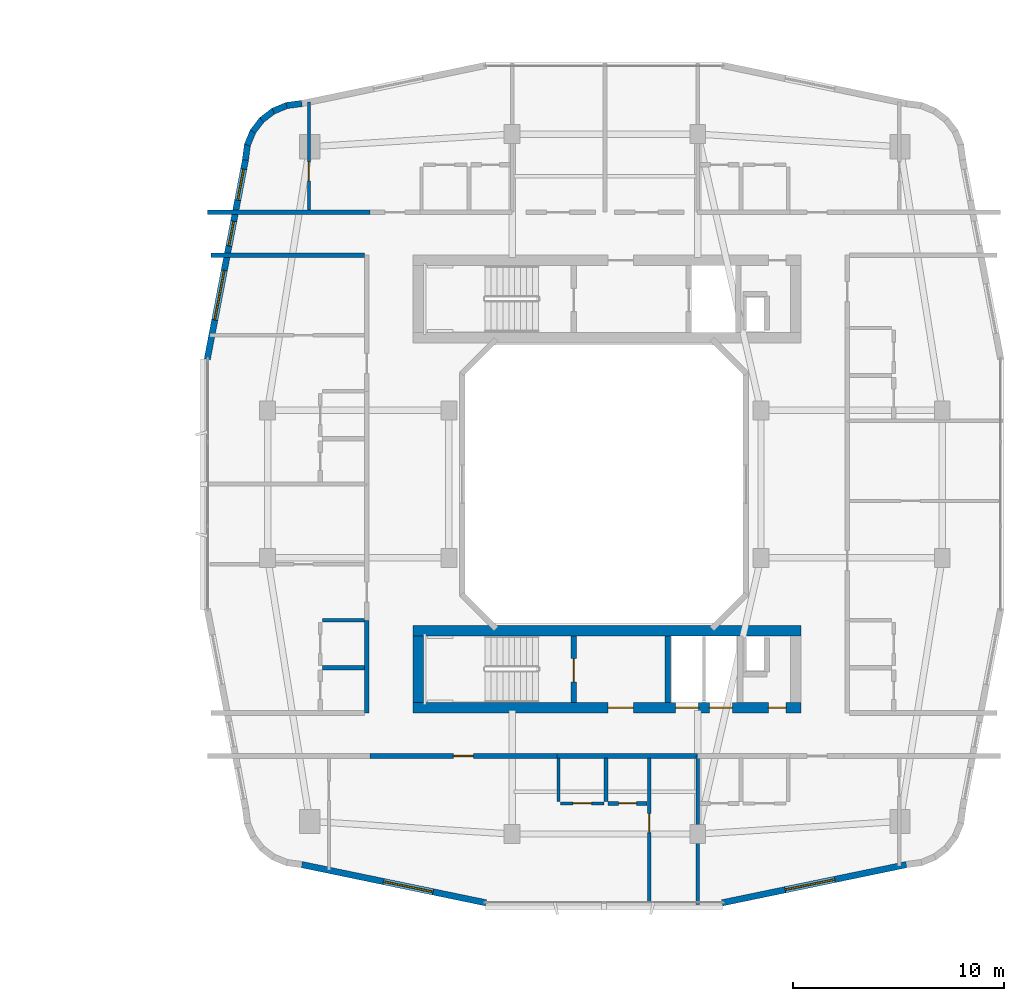
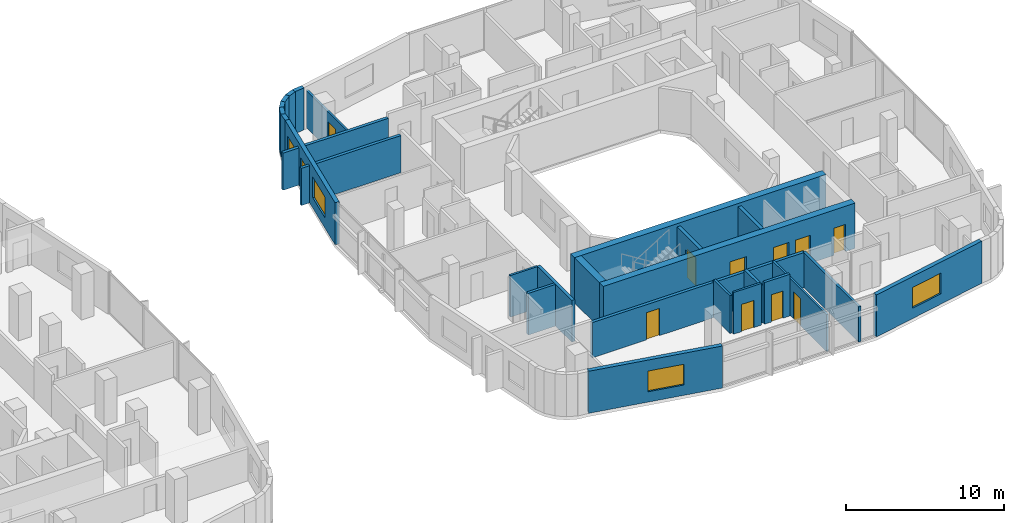
# One storey, part 17 of 26: 28 walls, 10 doors, 5 windows, 15 openings.
"""IFC4 building model written with IfcOpenShell, lengths in metres."""

from ifc_helpers import new_model, si_unit, derived_unit, direction, frame, frame_2d, origin, place, context, subcontext, project, spatial, rectangle, extrude, material, layer, layer_set, type_object, element, fill, save


model = new_model("IFC4")

# Units and contexts
model_context = context("Model", 3, precision=1e-05, world=origin(), true_north=direction((0.0, 1.0)))
body_context = subcontext(model_context, "Body", "Model", "MODEL_VIEW")
ifc_project = project(units=[si_unit("LENGTHUNIT", "METRE"), si_unit("AREAUNIT", "SQUARE_METRE"), si_unit("VOLUMEUNIT", "CUBIC_METRE"), si_unit("PLANEANGLEUNIT", "RADIAN"), si_unit("MASSUNIT", "GRAM", prefix="KILO"), derived_unit("THERMALTRANSMITTANCEUNIT", [(si_unit("POWERUNIT", "WATT"), 1), (si_unit("LENGTHUNIT", "METRE"), -2), (si_unit("THERMODYNAMICTEMPERATUREUNIT", "KELVIN"), -1)])], contexts=[model_context])

# Site, building, storey
site_placement = place(None, origin())
site = spatial("IfcSite", under=ifc_project, at=site_placement, CompositionType="ELEMENT")
building_placement = place(site_placement, origin())
building = spatial("IfcBuilding", under=site, at=building_placement, Name="Kivonza Crest Hotel", CompositionType="ELEMENT")
storey_placement = place(building_placement, frame((0.0, 0.0, 66.0)))
storey = spatial("IfcBuildingStorey", under=building, at=storey_placement, Name="L17", CompositionType="ELEMENT", Elevation=66.0)

# Walls
ifc_material_1 = material(Name="High-density acoustic masonry inter-tenancy wall", Category="masonry")
ifc_layer_1 = layer(ifc_material_1, 0.179931640625)
ifc_layer_set_1 = layer_set([ifc_layer_1], Name="High-density acoustic masonry inter-tenancy wall")
wall_type_1 = type_object("IfcWallType", Name="WL-ACOU-180", PredefinedType="SOLIDWALL", material=ifc_layer_set_1)
wall_1_placement = place(storey_placement, frame((81.39990234375, 5.06005859375, 0.0), z_axis=(0.0, 0.0, 1.0), x_axis=(0.0, 1.0, 0.0)))
element("IfcWall", 1, at=wall_1_placement, inside=storey, type_object=wall_type_1, Name="L17 interior partition WA-L17-T2S-DIV1", PredefinedType="SOLIDWALL", context=body_context, shape_type="SweptSolid", body=[
    extrude(rectangle(XDim=7.0400390625, YDim=0.179931640625, at=frame_2d((3.52001953125, 0.0))), origin(), (0.0, 0.0, 1.0), 2.72509765625),
])
ifc_material_2 = material(Name="Autoclaved aerated concrete blockwork", Category="masonry")
ifc_layer_2 = layer(ifc_material_2, 0.219970703125)
ifc_layer_set_2 = layer_set([ifc_layer_2], Name="Autoclaved aerated concrete blockwork")
wall_type_2 = type_object("IfcWallType", Name="WL-ACOU-220", PredefinedType="SOLIDWALL", material=ifc_layer_set_2)
wall_2_placement = place(storey_placement, frame((58.159912109375, 37.89990234375, 0.0), z_axis=(0.0, 0.0, 1.0), x_axis=(1.0, 0.0, 0.0)))
element("IfcWall", 2, at=wall_2_placement, inside=storey, type_object=wall_type_2, Name="L17 interior partition WA-L17-A01-LCORR", PredefinedType="SOLIDWALL", context=body_context, shape_type="SweptSolid", body=[
    extrude(rectangle(XDim=7.690185546875, YDim=0.219970703125, at=frame_2d((3.84521484375, 0.0))), origin(), (0.0, 0.0, 1.0), 2.864990234375),
])
wall_3_placement = place(storey_placement, frame((74.719970703125, 12.10009765625, 0.0), z_axis=(0.0, 0.0, 1.0), x_axis=(1.0, 0.0, 0.0)))
element("IfcWall", 3, at=wall_3_placement, inside=storey, type_object=wall_type_2, Name="L17 interior partition WA-L17-A03-RCORR", PredefinedType="SOLIDWALL", context=body_context, shape_type="SweptSolid", body=[
    extrude(rectangle(XDim=6.679931640625, YDim=0.219970703125, at=frame_2d((3.33984375, 0.0))), origin(), (0.0, 0.0, 1.0), 2.72509765625),
])

# Wall, opening, door
wall_4_placement = place(storey_placement, frame((65.85009765625, 12.10009765625, 0.0), z_axis=(0.0, 0.0, 1.0), x_axis=(1.0, 0.0, 0.0)))
wall_4 = element("IfcWall", 4, at=wall_4_placement, inside=storey, type_object=wall_type_2, Name="L17 interior partition WA-L17-A03-MCORR", PredefinedType="SOLIDWALL", context=body_context, shape_type="SweptSolid", body=[
    extrude(rectangle(XDim=8.869873046875, YDim=0.219970703125, at=frame_2d((4.43505859375, 0.0))), origin(), (0.0, 0.0, 1.0), 2.72509765625),
])
opening_1_placement = place(wall_4_placement, frame((3.9599609375, 0.0, 0.0)))
opening_1 = element("IfcOpeningElement", 5, at=opening_1_placement, cuts=wall_4, Name="Opening DU-60", PredefinedType="OPENING", context=body_context, shape_type="SweptSolid", body=[
    extrude(rectangle(XDim=0.949951171875, YDim=2.10009765625, at=frame_2d((0.47509765625, 1.050048828125))), frame((0.0, 0.1201171875, 0.0), z_axis=(0.0, -1.0, 0.0), x_axis=(1.0, 0.0, 0.0)), (0.0, 0.0, 1.0), 0.239990234375),
])
ifc_material_3 = material(Name="Hardwood timber oak", Category="wood")
door_type_1 = type_object("IfcDoorType", Name="DR-UNIT-950", OperationType="NOTDEFINED", PredefinedType="DOOR", material=ifc_material_3)
door_1_placement = place(opening_1_placement, frame((0.949951171875, 0.0, 0.0), z_axis=(0.0, 0.0, 1.0), x_axis=(-1.0, 0.0, 0.0)))
door_1 = element("IfcDoor", 6, at=door_1_placement, inside=storey, type_object=door_type_1, Name="L17 A03 apartment entrance fire door", OperationType="SINGLE_SWING_LEFT", OverallHeight=2.10009765625, OverallWidth=0.949951171875, PredefinedType="DOOR", context=body_context, shape_type="SweptSolid", body=[
    extrude(rectangle(XDim=0.949951171875, YDim=2.10009765625, at=frame_2d((0.47509765625, 1.050048828125))), frame((0.0, 0.02490234375, 0.0), z_axis=(0.0, -1.0, 0.0), x_axis=(1.0, 0.0, 0.0)), (0.0, 0.0, 1.0), 0.050048828125),
])
fill(opening_1, door_1)

# Walls
wall_5_placement = place(storey_placement, frame((58.320068359375, 35.860107421875, 0.0), z_axis=(0.0, 0.0, 1.0), x_axis=(1.0, 0.0, 0.0)))
element("IfcWall", 7, at=wall_5_placement, inside=storey, type_object=wall_type_2, Name="L17 interior partition WA-L17-T2W-ENDN", PredefinedType="SOLIDWALL", context=body_context, shape_type="SweptSolid", body=[
    extrude(rectangle(XDim=7.280029296875, YDim=0.219970703125, at=frame_2d((3.64013671875, 0.0))), origin(), (0.0, 0.0, 1.0), 2.864990234375),
])
wall_6_placement = place(storey_placement, frame((65.699951171875, 14.139892578125, 0.0), z_axis=(0.0, 0.0, 1.0), x_axis=(0.0, 1.0, 0.0)))
element("IfcWall", 8, at=wall_6_placement, inside=storey, type_object=wall_type_2, Name="L17 interior partition WA-L17-A05-BCORR", PredefinedType="SOLIDWALL", context=body_context, shape_type="SweptSolid", body=[
    extrude(rectangle(XDim=4.400146484375, YDim=0.219970703125, at=frame_2d((2.2001953125, 0.0))), origin(), (0.0, 0.0, 1.0), 3.219970703125),
])

# Wall, openings, doors
ifc_material_4 = material(Name="Concrete C60/75", Category="concrete")
ifc_layer_3 = layer(ifc_material_4, 0.5)
ifc_layer_set_3 = layer_set([ifc_layer_3], Name="Concrete C60/75")
wall_type_3 = type_object("IfcWallType", Name="WL-CORE-500", PredefinedType="SHEAR", material=ifc_layer_set_3)
wall_7_placement = place(storey_placement, frame((67.89990234375, 14.389892578125, 0.0), z_axis=(0.0, 0.0, 1.0), x_axis=(1.0, 0.0, 0.0)))
wall_7 = element("IfcWall", 9, at=wall_7_placement, inside=storey, type_object=wall_type_3, Name="Core wall T2-S South L17", PredefinedType="SHEAR", context=body_context, shape_type="SweptSolid", body=[
    extrude(rectangle(XDim=18.400146484375, YDim=0.5, at=frame_2d((9.2001953125, 0.0))), origin(), (0.0, 0.0, 1.0), 3.5),
])
opening_2_placement = place(wall_7_placement, frame((9.25, 0.0, 0.0)))
opening_2 = element("IfcOpeningElement", 10, at=opening_2_placement, cuts=wall_7, Name="Opening DF-60", PredefinedType="OPENING", context=body_context, shape_type="SweptSolid", body=[
    extrude(rectangle(XDim=1.199951171875, YDim=2.14990234375, at=frame_2d((0.60009765625, 1.074951171875))), frame((0.0, 0.260009765625, 0.0), z_axis=(0.0, -1.0, 0.0), x_axis=(1.0, 0.0, 0.0)), (0.0, 0.0, 1.0), 0.52001953125),
])
opening_3_placement = place(wall_7_placement, frame((16.85009765625, 0.0, 0.0)))
opening_3 = element("IfcOpeningElement", 11, at=opening_3_placement, cuts=wall_7, Name="Opening DF-60R", PredefinedType="OPENING", context=body_context, shape_type="SweptSolid", body=[
    extrude(rectangle(XDim=0.85009765625, YDim=2.10009765625, at=frame_2d((0.425048828125, 1.050048828125))), frame((0.0, 0.260009765625, 0.0), z_axis=(0.0, -1.0, 0.0), x_axis=(1.0, 0.0, 0.0)), (0.0, 0.0, 1.0), 0.52001953125),
])
opening_4_placement = place(wall_7_placement, frame((12.449951171875, 0.0, 0.0)))
opening_4 = element("IfcOpeningElement", 12, at=opening_4_placement, cuts=wall_7, Name="Opening LD-120", PredefinedType="OPENING", context=body_context, shape_type="SweptSolid", body=[
    extrude(rectangle(XDim=1.10009765625, YDim=2.14990234375, at=frame_2d((0.550048828125, 1.074951171875))), frame((0.0, 0.260009765625, 0.0), z_axis=(0.0, -1.0, 0.0), x_axis=(1.0, 0.0, 0.0)), (0.0, 0.0, 1.0), 0.52001953125),
])
opening_5_placement = place(wall_7_placement, frame((14.050048828125, 0.0, 0.0)))
opening_5 = element("IfcOpeningElement", 13, at=opening_5_placement, cuts=wall_7, Name="Opening LD-120", PredefinedType="OPENING", context=body_context, shape_type="SweptSolid", body=[
    extrude(rectangle(XDim=1.10009765625, YDim=2.14990234375, at=frame_2d((0.550048828125, 1.074951171875))), frame((0.0, 0.260009765625, 0.0), z_axis=(0.0, -1.0, 0.0), x_axis=(1.0, 0.0, 0.0)), (0.0, 0.0, 1.0), 0.52001953125),
])
door_type_2 = type_object("IfcDoorType", Name="DR-FD60-1200", OperationType="NOTDEFINED", PredefinedType="DOOR", material=ifc_material_3)
door_2_placement = place(opening_2_placement, frame((1.199951171875, 0.0, 0.0), z_axis=(0.0, 0.0, 1.0), x_axis=(-1.0, 0.0, 0.0)))
door_2 = element("IfcDoor", 14, at=door_2_placement, inside=storey, type_object=door_type_2, Name="L17 T2-S firefighting lobby fire door", OperationType="SINGLE_SWING_LEFT", OverallHeight=2.14990234375, OverallWidth=1.199951171875, PredefinedType="DOOR", context=body_context, shape_type="SweptSolid", body=[
    extrude(rectangle(XDim=1.199951171875, YDim=2.14990234375, at=frame_2d((0.60009765625, 1.074951171875))), frame((0.0, 0.02490234375, 0.0), z_axis=(0.0, -1.0, 0.0), x_axis=(1.0, 0.0, 0.0)), (0.0, 0.0, 1.0), 0.050048828125),
])
fill(opening_2, door_2)
door_type_3 = type_object("IfcDoorType", Name="DR-FD60-850", OperationType="NOTDEFINED", PredefinedType="DOOR", material=ifc_material_3)
door_3_placement = place(opening_3_placement, frame((0.85009765625, 0.0, 0.0), z_axis=(0.0, 0.0, 1.0), x_axis=(-1.0, 0.0, 0.0)))
door_3 = element("IfcDoor", 15, at=door_3_placement, inside=storey, type_object=door_type_3, Name="L17 T2-S core room door", OperationType="SINGLE_SWING_RIGHT", OverallHeight=2.10009765625, OverallWidth=0.85009765625, PredefinedType="DOOR", context=body_context, shape_type="SweptSolid", body=[
    extrude(rectangle(XDim=0.85009765625, YDim=2.10009765625, at=frame_2d((0.425048828125, 1.050048828125))), frame((0.0, 0.02490234375, 0.0), z_axis=(0.0, -1.0, 0.0), x_axis=(1.0, 0.0, 0.0)), (0.0, 0.0, 1.0), 0.050048828125),
])
fill(opening_3, door_3)
ifc_material_5 = material(Name="Stainless steel", Category="steel")
door_type_4 = type_object("IfcDoorType", Name="DR-LD120-1100", OperationType="NOTDEFINED", PredefinedType="DOOR", material=ifc_material_5)
door_4_placement = place(opening_4_placement, frame((1.10009765625, 0.0, 0.0), z_axis=(0.0, 0.0, 1.0), x_axis=(-1.0, 0.0, 0.0)))
door_4 = element("IfcDoor", 16, at=door_4_placement, inside=storey, type_object=door_type_4, Name="L17 PL-T2-1 passenger lift sliding landing door", OperationType="DOUBLE_DOOR_SLIDING", OverallHeight=2.14990234375, OverallWidth=1.10009765625, PredefinedType="DOOR", context=body_context, shape_type="SweptSolid", body=[
    extrude(rectangle(XDim=1.10009765625, YDim=2.14990234375, at=frame_2d((0.550048828125, 1.074951171875))), frame((0.0, 0.02490234375, 0.0), z_axis=(0.0, -1.0, 0.0), x_axis=(1.0, 0.0, 0.0)), (0.0, 0.0, 1.0), 0.050048828125),
])
fill(opening_4, door_4)
door_5_placement = place(opening_5_placement, frame((1.10009765625, 0.0, 0.0), z_axis=(0.0, 0.0, 1.0), x_axis=(-1.0, 0.0, 0.0)))
door_5 = element("IfcDoor", 17, at=door_5_placement, inside=storey, type_object=door_type_4, Name="L17 PL-T2-2 passenger lift sliding landing door", OperationType="DOUBLE_DOOR_SLIDING", OverallHeight=2.14990234375, OverallWidth=1.10009765625, PredefinedType="DOOR", context=body_context, shape_type="SweptSolid", body=[
    extrude(rectangle(XDim=1.10009765625, YDim=2.14990234375, at=frame_2d((0.550048828125, 1.074951171875))), frame((0.0, 0.02490234375, 0.0), z_axis=(0.0, -1.0, 0.0), x_axis=(1.0, 0.0, 0.0)), (0.0, 0.0, 1.0), 0.050048828125),
])
fill(opening_5, door_5)

# Walls
wall_8_placement = place(storey_placement, frame((67.89990234375, 18.050048828125, 0.0), z_axis=(0.0, 0.0, 1.0), x_axis=(1.0, 0.0, 0.0)))
element("IfcWall", 18, at=wall_8_placement, inside=storey, type_object=wall_type_3, Name="Core wall T2-S North L17", PredefinedType="SHEAR", context=body_context, shape_type="SweptSolid", body=[
    extrude(rectangle(XDim=18.400146484375, YDim=0.5, at=frame_2d((9.2001953125, 0.0))), origin(), (0.0, 0.0, 1.0), 3.5),
])
wall_9_placement = place(storey_placement, frame((68.14990234375, 14.639892578125, 0.0), z_axis=(0.0, 0.0, 1.0), x_axis=(0.0, 1.0, 0.0)))
element("IfcWall", 19, at=wall_9_placement, inside=storey, type_object=wall_type_3, Name="Core wall T2-S West L17", PredefinedType="SHEAR", context=body_context, shape_type="SweptSolid", body=[
    extrude(rectangle(XDim=3.16015625, YDim=0.5, at=frame_2d((1.580078125, 0.0))), origin(), (0.0, 0.0, 1.0), 3.5),
])

# Wall, opening, window
ifc_material_6 = material(Name="Precast concrete C40/50", Category="concrete")
ifc_layer_4 = layer(ifc_material_6, 0.300048828125)
ifc_layer_set_4 = layer_set([ifc_layer_4], Name="Precast concrete C40/50")
wall_type_4 = type_object("IfcWallType", Name="WL-EXT-300", PredefinedType="STANDARD", material=ifc_layer_set_4)
wall_10_placement = place(storey_placement, frame((62.6220703125, 6.948974609375, 0.0), z_axis=(0.0, 0.0, 1.0), x_axis=(0.979127260729, -0.203248142175, 0.0)))
wall_10 = element("IfcWall", 20, at=wall_10_placement, inside=storey, type_object=wall_type_4, Name="L17 T2 exterior insulated wall 7", PredefinedType="STANDARD", context=body_context, shape_type="SweptSolid", body=[
    extrude(rectangle(XDim=8.920166015625, YDim=0.300048828125, at=frame_2d((4.4599609375, 0.0))), origin(), (0.0, 0.0, 1.0), 3.25),
])
opening_6_placement = place(wall_10_placement, frame((3.95703125, 0.0, 0.800048828125)))
opening_6 = element("IfcOpeningElement", 21, at=opening_6_placement, cuts=wall_10, Name="Opening WN-05", PredefinedType="OPENING", context=body_context, shape_type="SweptSolid", body=[
    extrude(rectangle(XDim=2.39990234375, YDim=1.60009765625, at=frame_2d((1.199951171875, 0.800048828125))), frame((0.0, 0.16015625, 0.0), z_axis=(0.0, -1.0, 0.0), x_axis=(1.0, 0.0, 0.0)), (0.0, 0.0, 1.0), 0.320068359375),
])
ifc_material_7 = material(Name="Thermally broken bronze aluminium and low-E double glazing", Category="aluminium")
window_type_1 = type_object("IfcWindowType", Name="WN-240x160", PartitioningType="TRIPLE_PANEL_VERTICAL", PredefinedType="WINDOW", material=ifc_material_7)
window_1_placement = place(opening_6_placement, origin())
window_1 = element("IfcWindow", 22, at=window_1_placement, inside=storey, type_object=window_type_1, Name="L17 T2 facade window 7", OverallHeight=1.60009765625, OverallWidth=2.39990234375, PartitioningType="SINGLE_PANEL", PredefinedType="WINDOW", context=body_context, shape_type="SweptSolid", body=[
    extrude(rectangle(XDim=2.39990234375, YDim=1.60009765625, at=frame_2d((1.199951171875, 0.800048828125))), frame((0.0, 0.030029296875, 0.0), z_axis=(0.0, -1.0, 0.0), x_axis=(1.0, 0.0, 0.0)), (0.0, 0.0, 1.0), 0.06005859375),
])
fill(opening_6, window_1)

wall_11_placement = place(storey_placement, frame((82.56396484375, 5.135986328125, 0.0), z_axis=(0.0, 0.0, 1.0), x_axis=(0.979128391325, 0.203242695569, 0.0)))
wall_11 = element("IfcWall", 23, at=wall_11_placement, inside=storey, type_object=wall_type_4, Name="L17 T2 exterior insulated wall 9", PredefinedType="STANDARD", context=body_context, shape_type="SweptSolid", body=[
    extrude(rectangle(XDim=8.92041015625, YDim=0.300048828125, at=frame_2d((4.460205078125, 0.0))), origin(), (0.0, 0.0, 1.0), 3.25),
])
opening_7_placement = place(wall_11_placement, frame((3.048095703125, 0.0, 0.800048828125)))
opening_7 = element("IfcOpeningElement", 24, at=opening_7_placement, cuts=wall_11, Name="Opening WN-05", PredefinedType="OPENING", context=body_context, shape_type="SweptSolid", body=[
    extrude(rectangle(XDim=2.39990234375, YDim=1.60009765625, at=frame_2d((1.199951171875, 0.800048828125))), frame((0.0, 0.16015625, 0.0), z_axis=(0.0, -1.0, 0.0), x_axis=(1.0, 0.0, 0.0)), (0.0, 0.0, 1.0), 0.320068359375),
])
window_2_placement = place(opening_7_placement, origin())
window_2 = element("IfcWindow", 25, at=window_2_placement, inside=storey, type_object=window_type_1, Name="L17 T2 facade window 9", OverallHeight=1.60009765625, OverallWidth=2.39990234375, PartitioningType="SINGLE_PANEL", PredefinedType="WINDOW", context=body_context, shape_type="SweptSolid", body=[
    extrude(rectangle(XDim=2.39990234375, YDim=1.60009765625, at=frame_2d((1.199951171875, 0.800048828125))), frame((0.0, 0.030029296875, 0.0), z_axis=(0.0, -1.0, 0.0), x_axis=(1.0, 0.0, 0.0)), (0.0, 0.0, 1.0), 0.06005859375),
])
fill(opening_7, window_2)

# Walls
wall_12_placement = place(storey_placement, frame((62.626953125, 43.052001953125, 0.0), z_axis=(0.0, 0.0, 1.0), x_axis=(-0.991480488834, -0.130255288807, 0.0)))
element("IfcWall", 26, at=wall_12_placement, inside=storey, type_object=wall_type_4, Name="L17 T2 exterior insulated wall 28", PredefinedType="STANDARD", context=body_context, shape_type="SweptSolid", body=[
    extrude(rectangle(XDim=0.72900390625, YDim=0.300048828125, at=frame_2d((0.364501953125, 0.0))), origin(), (0.0, 0.0, 1.0), 3.25),
])
for number, where, z_axis, x_axis, name in (
    (27, (61.955078125, 42.97607421875, 0.0), (0.0, 0.0, 1.0), (-0.923521684703, -0.383546213491, 0.0), "L17 T2 exterior insulated wall 29"),
    (28, (61.31103515625, 42.720947265625, 0.0), (0.0, 0.0, 1.0), (-0.79363269798, -0.608397189915, 0.0), "L17 T2 exterior insulated wall 30"),
    (29, (60.75390625, 42.30908203125, 0.0), (0.0, 0.0, 1.0), (-0.608397189915, -0.79363269798, 0.0), "L17 T2 exterior insulated wall 31"),
    (30, (60.323974609375, 41.76611328125, 0.0), (0.0, 0.0, 1.0), (-0.383151213466, -0.923685632463, 0.0), "L17 T2 exterior insulated wall 32"),
):
    element("IfcWall", number, at=place(storey_placement, frame(where, z_axis=z_axis, x_axis=x_axis)), inside=storey, type_object=wall_type_4, Name=name, PredefinedType="STANDARD", context=body_context, shape_type="SweptSolid", body=[
        extrude(rectangle(XDim=0.74609375, YDim=0.300048828125, at=frame_2d((0.373046875, 0.0))), origin(), (0.0, 0.0, 1.0), 3.25),
    ])
wall_13_placement = place(storey_placement, frame((60.047119140625, 41.131103515625, 0.0), z_axis=(0.0, 0.0, 1.0), x_axis=(-0.129653178221, -0.991559404866, 0.0)))
element("IfcWall", 31, at=wall_13_placement, inside=storey, type_object=wall_type_4, Name="L17 T2 exterior insulated wall 33", PredefinedType="STANDARD", context=body_context, shape_type="SweptSolid", body=[
    extrude(rectangle(XDim=0.764404296875, YDim=0.300048828125, at=frame_2d((0.38232421875, 0.0))), origin(), (0.0, 0.0, 1.0), 3.25),
])

# Wall, openings, windows
wall_14_placement = place(storey_placement, frame((59.948974609375, 40.3798828125, 0.0), z_axis=(0.0, 0.0, 1.0), x_axis=(-0.188087874316, -0.982152203854, 0.0)))
wall_14 = element("IfcWall", 32, at=wall_14_placement, inside=storey, type_object=wall_type_4, Name="L17 T2 exterior insulated wall 34", PredefinedType="STANDARD", context=body_context, shape_type="SweptSolid", body=[
    extrude(rectangle(XDim=9.6337890625, YDim=0.300048828125, at=frame_2d((4.81689453125, 0.0))), origin(), (0.0, 0.0, 1.0), 3.25),
])
opening_8_placement = place(wall_14_placement, frame((0.451904296875, 0.0, 0.85009765625)))
opening_8 = element("IfcOpeningElement", 33, at=opening_8_placement, cuts=wall_14, Name="Opening WN-02", PredefinedType="OPENING", context=body_context, shape_type="SweptSolid", body=[
    extrude(rectangle(XDim=1.5, YDim=1.5, at=frame_2d((0.75, 0.75))), frame((0.0, 0.16015625, 0.0), z_axis=(0.0, -1.0, 0.0), x_axis=(1.0, 0.0, 0.0)), (0.0, 0.0, 1.0), 0.320068359375),
])
opening_9_placement = place(wall_14_placement, frame((2.964111328125, 0.0, 0.85009765625)))
opening_9 = element("IfcOpeningElement", 34, at=opening_9_placement, cuts=wall_14, Name="Opening WN-01", PredefinedType="OPENING", context=body_context, shape_type="SweptSolid", body=[
    extrude(rectangle(XDim=1.199951171875, YDim=1.5, at=frame_2d((0.60009765625, 0.75))), frame((0.0, 0.16015625, 0.0), z_axis=(0.0, -1.0, 0.0), x_axis=(1.0, 0.0, 0.0)), (0.0, 0.0, 1.0), 0.320068359375),
])
opening_10_placement = place(wall_14_placement, frame((5.3369140625, 0.0, 0.800048828125)))
opening_10 = element("IfcOpeningElement", 35, at=opening_10_placement, cuts=wall_14, Name="Opening WN-05", PredefinedType="OPENING", context=body_context, shape_type="SweptSolid", body=[
    extrude(rectangle(XDim=2.39990234375, YDim=1.60009765625, at=frame_2d((1.199951171875, 0.800048828125))), frame((0.0, 0.16015625, 0.0), z_axis=(0.0, -1.0, 0.0), x_axis=(1.0, 0.0, 0.0)), (0.0, 0.0, 1.0), 0.320068359375),
])
window_type_2 = type_object("IfcWindowType", Name="WN-120x150", PartitioningType="SINGLE_PANEL", PredefinedType="WINDOW", material=ifc_material_7)
window_3_placement = place(opening_9_placement, origin())
window_3 = element("IfcWindow", 36, at=window_3_placement, inside=storey, type_object=window_type_2, Name="L17 T2 facade window 34 bay 2", OverallHeight=1.5, OverallWidth=1.199951171875, PartitioningType="SINGLE_PANEL", PredefinedType="WINDOW", context=body_context, shape_type="SweptSolid", body=[
    extrude(rectangle(XDim=1.199951171875, YDim=1.5, at=frame_2d((0.60009765625, 0.75))), frame((0.0, 0.030029296875, 0.0), z_axis=(0.0, -1.0, 0.0), x_axis=(1.0, 0.0, 0.0)), (0.0, 0.0, 1.0), 0.06005859375),
])
fill(opening_9, window_3)
window_type_3 = type_object("IfcWindowType", Name="WN-150x150", PartitioningType="DOUBLE_PANEL_VERTICAL", PredefinedType="WINDOW", material=ifc_material_7)
window_4_placement = place(opening_8_placement, origin())
window_4 = element("IfcWindow", 37, at=window_4_placement, inside=storey, type_object=window_type_3, Name="L17 T2 facade window 34 bay 1", OverallHeight=1.5, OverallWidth=1.5, PartitioningType="SINGLE_PANEL", PredefinedType="WINDOW", context=body_context, shape_type="SweptSolid", body=[
    extrude(rectangle(XDim=1.5, YDim=1.5, at=frame_2d((0.75, 0.75))), frame((0.0, 0.030029296875, 0.0), z_axis=(0.0, -1.0, 0.0), x_axis=(1.0, 0.0, 0.0)), (0.0, 0.0, 1.0), 0.06005859375),
])
fill(opening_8, window_4)
window_5_placement = place(opening_10_placement, origin())
window_5 = element("IfcWindow", 38, at=window_5_placement, inside=storey, type_object=window_type_1, Name="L17 T2 facade window 34 bay 3", OverallHeight=1.60009765625, OverallWidth=2.39990234375, PartitioningType="SINGLE_PANEL", PredefinedType="WINDOW", context=body_context, shape_type="SweptSolid", body=[
    extrude(rectangle(XDim=2.39990234375, YDim=1.60009765625, at=frame_2d((1.199951171875, 0.800048828125))), frame((0.0, 0.030029296875, 0.0), z_axis=(0.0, -1.0, 0.0), x_axis=(1.0, 0.0, 0.0)), (0.0, 0.0, 1.0), 0.06005859375),
])
fill(opening_10, window_5)

# Wall, opening, door
ifc_material_8 = material(Name="Twin-stud acoustic gypsum board partition", Category="gypsum")
ifc_layer_5 = layer(ifc_material_8, 0.14990234375)
ifc_layer_set_5 = layer_set([ifc_layer_5], Name="Twin-stud acoustic gypsum board partition")
wall_type_5 = type_object("IfcWallType", Name="WL-PART-150", PredefinedType="PARTITIONING", material=ifc_layer_set_5)
wall_15_placement = place(storey_placement, frame((62.9599609375, 38.0, 0.0), z_axis=(0.0, 0.0, 1.0), x_axis=(0.0, 1.0, 0.0)))
wall_15 = element("IfcWall", 39, at=wall_15_placement, inside=storey, type_object=wall_type_5, Name="L17 interior partition WP-L17-A01-BDW1", PredefinedType="PARTITIONING", context=body_context, shape_type="SweptSolid", body=[
    extrude(rectangle(XDim=5.113037109375, YDim=0.14990234375, at=frame_2d((2.556640625, 0.0))), origin(), (0.0, 0.0, 1.0), 2.864990234375),
])
opening_11_placement = place(wall_15_placement, frame((1.3798828125, 0.0, 0.0)))
opening_11 = element("IfcOpeningElement", 40, at=opening_11_placement, cuts=wall_15, Name="Opening DI-90", PredefinedType="OPENING", context=body_context, shape_type="SweptSolid", body=[
    extrude(rectangle(XDim=0.89990234375, YDim=2.10009765625, at=frame_2d((0.449951171875, 1.050048828125))), frame((0.0, 0.0849609375, 0.0), z_axis=(0.0, -1.0, 0.0), x_axis=(1.0, 0.0, 0.0)), (0.0, 0.0, 1.0), 0.169921875),
])
door_type_5 = type_object("IfcDoorType", Name="DR-INT-900", OperationType="NOTDEFINED", PredefinedType="DOOR", material=ifc_material_3)
door_6_placement = place(opening_11_placement, origin())
door_6 = element("IfcDoor", 41, at=door_6_placement, inside=storey, type_object=door_type_5, Name="L17 A01 bedroom 1 door", OperationType="SINGLE_SWING_RIGHT", OverallHeight=2.10009765625, OverallWidth=0.89990234375, PredefinedType="DOOR", context=body_context, shape_type="SweptSolid", body=[
    extrude(rectangle(XDim=0.89990234375, YDim=2.10009765625, at=frame_2d((0.449951171875, 1.050048828125))), frame((0.0, 0.02490234375, 0.0), z_axis=(0.0, -1.0, 0.0), x_axis=(1.0, 0.0, 0.0)), (0.0, 0.0, 1.0), 0.050048828125),
])
fill(opening_11, door_6)

wall_16_placement = place(storey_placement, frame((79.10009765625, 5.159912109375, 0.0), z_axis=(0.0, 0.0, 1.0), x_axis=(0.0, 1.0, 0.0)))
wall_16 = element("IfcWall", 42, at=wall_16_placement, inside=storey, type_object=wall_type_5, Name="L17 interior partition WP-L17-A03-BDW2", PredefinedType="PARTITIONING", context=body_context, shape_type="SweptSolid", body=[
    extrude(rectangle(XDim=6.840087890625, YDim=0.14990234375, at=frame_2d((3.419921875, 0.0))), origin(), (0.0, 0.0, 1.0), 2.864990234375),
])
opening_12_placement = place(wall_16_placement, frame((3.31005859375, 0.0, 0.0)))
opening_12 = element("IfcOpeningElement", 43, at=opening_12_placement, cuts=wall_16, Name="Opening DI-90", PredefinedType="OPENING", context=body_context, shape_type="SweptSolid", body=[
    extrude(rectangle(XDim=0.89990234375, YDim=2.10009765625, at=frame_2d((0.449951171875, 1.050048828125))), frame((0.0, 0.0849609375, 0.0), z_axis=(0.0, -1.0, 0.0), x_axis=(1.0, 0.0, 0.0)), (0.0, 0.0, 1.0), 0.169921875),
])
door_7_placement = place(opening_12_placement, origin())
door_7 = element("IfcDoor", 44, at=door_7_placement, inside=storey, type_object=door_type_5, Name="L17 A03 bedroom 2 door", OperationType="SINGLE_SWING_LEFT", OverallHeight=2.10009765625, OverallWidth=0.89990234375, PredefinedType="DOOR", context=body_context, shape_type="SweptSolid", body=[
    extrude(rectangle(XDim=0.89990234375, YDim=2.10009765625, at=frame_2d((0.449951171875, 1.050048828125))), frame((0.0, 0.02490234375, 0.0), z_axis=(0.0, -1.0, 0.0), x_axis=(1.0, 0.0, 0.0)), (0.0, 0.0, 1.0), 0.050048828125),
])
fill(opening_12, door_7)

# Wall
wall_17_placement = place(storey_placement, frame((74.800048828125, 9.949951171875, 0.0), z_axis=(0.0, 0.0, 1.0), x_axis=(0.0, 1.0, 0.0)))
element("IfcWall", 45, at=wall_17_placement, inside=storey, type_object=wall_type_5, Name="L17 interior partition WP-L17-A03-KF", PredefinedType="PARTITIONING", context=body_context, shape_type="SweptSolid", body=[
    extrude(rectangle(XDim=2.050048828125, YDim=0.14990234375, at=frame_2d((1.02490234375, 0.0))), origin(), (0.0, 0.0, 1.0), 2.925048828125),
])

# Wall, opening, door
wall_18_placement = place(storey_placement, frame((74.89990234375, 9.85009765625, 0.0), z_axis=(0.0, 0.0, 1.0), x_axis=(1.0, 0.0, 0.0)))
wall_18 = element("IfcWall", 46, at=wall_18_placement, inside=storey, type_object=wall_type_5, Name="L17 interior partition WP-L17-A03-KSVC", PredefinedType="PARTITIONING", context=body_context, shape_type="SweptSolid", body=[
    extrude(rectangle(XDim=2.050048828125, YDim=0.14990234375, at=frame_2d((1.02490234375, 0.0))), origin(), (0.0, 0.0, 1.0), 3.219970703125),
])
opening_13_placement = place(wall_18_placement, frame((0.574951171875, 0.0, 0.0)))
opening_13 = element("IfcOpeningElement", 47, at=opening_13_placement, cuts=wall_18, Name="Opening DI-90", PredefinedType="OPENING", context=body_context, shape_type="SweptSolid", body=[
    extrude(rectangle(XDim=0.89990234375, YDim=2.10009765625, at=frame_2d((0.449951171875, 1.050048828125))), frame((0.0, 0.0849609375, 0.0), z_axis=(0.0, -1.0, 0.0), x_axis=(1.0, 0.0, 0.0)), (0.0, 0.0, 1.0), 0.169921875),
])
door_8_placement = place(opening_13_placement, frame((0.89990234375, 0.0, 0.0), z_axis=(0.0, 0.0, 1.0), x_axis=(-1.0, 0.0, 0.0)))
door_8 = element("IfcDoor", 48, at=door_8_placement, inside=storey, type_object=door_type_5, Name="L17 A03 apartment kitchen door", OperationType="SINGLE_SWING_LEFT", OverallHeight=2.10009765625, OverallWidth=0.89990234375, PredefinedType="DOOR", context=body_context, shape_type="SweptSolid", body=[
    extrude(rectangle(XDim=0.89990234375, YDim=2.10009765625, at=frame_2d((0.449951171875, 1.050048828125))), frame((0.0, 0.02490234375, 0.0), z_axis=(0.0, -1.0, 0.0), x_axis=(1.0, 0.0, 0.0)), (0.0, 0.0, 1.0), 0.050048828125),
])
fill(opening_13, door_8)

# Walls
wall_19_placement = place(storey_placement, frame((63.60009765625, 18.5400390625, 0.0), z_axis=(0.0, 0.0, 1.0), x_axis=(1.0, 0.0, 0.0)))
element("IfcWall", 49, at=wall_19_placement, inside=storey, type_object=wall_type_5, Name="L17 interior partition WP-L17-A05-KF", PredefinedType="PARTITIONING", context=body_context, shape_type="SweptSolid", body=[
    extrude(rectangle(XDim=2.0, YDim=0.14990234375, at=frame_2d((1.0, 0.0))), origin(), (0.0, 0.0, 1.0), 3.219970703125),
])
ifc_material_9 = material(Name="Moisture-resistant plumbing chase partition wall", Category="gypsum")
ifc_layer_6 = layer(ifc_material_9, 0.199951171875)
ifc_layer_set_6 = layer_set([ifc_layer_6], Name="Moisture-resistant plumbing chase partition wall")
wall_type_6 = type_object("IfcWallType", Name="WL-PLUMB-200", PredefinedType="PLUMBINGWALL", material=ifc_layer_set_6)
wall_20_placement = place(storey_placement, frame((77.050048828125, 9.949951171875, 0.0), z_axis=(0.0, 0.0, 1.0), x_axis=(0.0, 1.0, 0.0)))
element("IfcWall", 50, at=wall_20_placement, inside=storey, type_object=wall_type_6, Name="L17 interior partition WW-L17-A03-BK", PredefinedType="PLUMBINGWALL", context=body_context, shape_type="SweptSolid", body=[
    extrude(rectangle(XDim=2.050048828125, YDim=0.199951171875, at=frame_2d((1.02490234375, 0.0))), origin(), (0.0, 0.0, 1.0), 2.925048828125),
])

# Wall, opening, door
wall_21_placement = place(storey_placement, frame((77.14990234375, 9.85009765625, 0.0), z_axis=(0.0, 0.0, 1.0), x_axis=(1.0, 0.0, 0.0)))
wall_21 = element("IfcWall", 51, at=wall_21_placement, inside=storey, type_object=wall_type_6, Name="L17 interior partition WW-L17-A03-BSVC", PredefinedType="PLUMBINGWALL", context=body_context, shape_type="SweptSolid", body=[
    extrude(rectangle(XDim=1.85009765625, YDim=0.199951171875, at=frame_2d((0.925048828125, 0.0))), origin(), (0.0, 0.0, 1.0), 3.219970703125),
])
opening_14_placement = place(wall_21_placement, frame((0.5, 0.0, 0.0)))
opening_14 = element("IfcOpeningElement", 52, at=opening_14_placement, cuts=wall_21, Name="Opening DI-85", PredefinedType="OPENING", context=body_context, shape_type="SweptSolid", body=[
    extrude(rectangle(XDim=0.85009765625, YDim=2.10009765625, at=frame_2d((0.425048828125, 1.050048828125))), frame((0.0, 0.10986328125, 0.0), z_axis=(0.0, -1.0, 0.0), x_axis=(1.0, 0.0, 0.0)), (0.0, 0.0, 1.0), 0.219970703125),
])
door_type_6 = type_object("IfcDoorType", Name="DR-INT-850", OperationType="NOTDEFINED", PredefinedType="DOOR", material=ifc_material_3)
door_9_placement = place(opening_14_placement, frame((0.85009765625, 0.0, 0.0), z_axis=(0.0, 0.0, 1.0), x_axis=(-1.0, 0.0, 0.0)))
door_9 = element("IfcDoor", 53, at=door_9_placement, inside=storey, type_object=door_type_6, Name="L17 A03 apartment bathroom door", OperationType="SINGLE_SWING_RIGHT", OverallHeight=2.10009765625, OverallWidth=0.85009765625, PredefinedType="DOOR", context=body_context, shape_type="SweptSolid", body=[
    extrude(rectangle(XDim=0.85009765625, YDim=2.10009765625, at=frame_2d((0.425048828125, 1.050048828125))), frame((0.0, 0.02490234375, 0.0), z_axis=(0.0, -1.0, 0.0), x_axis=(1.0, 0.0, 0.0)), (0.0, 0.0, 1.0), 0.050048828125),
])
fill(opening_14, door_9)

# Wall
wall_22_placement = place(storey_placement, frame((63.60009765625, 16.2900390625, 0.0), z_axis=(0.0, 0.0, 1.0), x_axis=(1.0, 0.0, 0.0)))
element("IfcWall", 54, at=wall_22_placement, inside=storey, type_object=wall_type_6, Name="L17 interior partition WW-L17-A05-BK", PredefinedType="PLUMBINGWALL", context=body_context, shape_type="SweptSolid", body=[
    extrude(rectangle(XDim=2.0, YDim=0.199951171875, at=frame_2d((1.0, 0.0))), origin(), (0.0, 0.0, 1.0), 3.219970703125),
])

# Wall, opening, door
ifc_material_10 = material(Name="Concrete C50/60", Category="concrete")
ifc_layer_7 = layer(ifc_material_10, 0.25)
ifc_layer_set_7 = layer_set([ifc_layer_7], Name="Concrete C50/60")
wall_type_7 = type_object("IfcWallType", Name="WL-SHAFT-250", PredefinedType="STANDARD", material=ifc_layer_set_7)
wall_23_placement = place(storey_placement, frame((75.52490234375, 14.639892578125, 0.0), z_axis=(0.0, 0.0, 1.0), x_axis=(0.0, 1.0, 0.0)))
wall_23 = element("IfcWall", 55, at=wall_23_placement, inside=storey, type_object=wall_type_7, Name="Core shaft wall T2-S STAIR L17", PredefinedType="STANDARD", context=body_context, shape_type="SweptSolid", body=[
    extrude(rectangle(XDim=3.16015625, YDim=0.25, at=frame_2d((1.580078125, 0.0))), origin(), (0.0, 0.0, 1.0), 3.25),
])
opening_15_placement = place(wall_23_placement, frame((0.97998046875, 0.0, 0.0)))
opening_15 = element("IfcOpeningElement", 56, at=opening_15_placement, cuts=wall_23, Name="Opening DF-120", PredefinedType="OPENING", context=body_context, shape_type="SweptSolid", body=[
    extrude(rectangle(XDim=1.10009765625, YDim=2.14990234375, at=frame_2d((0.550048828125, 1.074951171875))), frame((0.0, 0.135009765625, 0.0), z_axis=(0.0, -1.0, 0.0), x_axis=(1.0, 0.0, 0.0)), (0.0, 0.0, 1.0), 0.27001953125),
])
ifc_material_11 = material(Name="Galvanised steel", Category="steel")
door_type_7 = type_object("IfcDoorType", Name="DR-FD120-1100", OperationType="NOTDEFINED", PredefinedType="DOOR", material=ifc_material_11)
door_10_placement = place(opening_15_placement, frame((1.10009765625, 0.0, 0.0), z_axis=(0.0, 0.0, 1.0), x_axis=(-1.0, 0.0, 0.0)))
door_10 = element("IfcDoor", 57, at=door_10_placement, inside=storey, type_object=door_type_7, Name="L17 T2-S stair fire door", OperationType="SINGLE_SWING_RIGHT", OverallHeight=2.14990234375, OverallWidth=1.10009765625, PredefinedType="DOOR", context=body_context, shape_type="SweptSolid", body=[
    extrude(rectangle(XDim=1.10009765625, YDim=2.14990234375, at=frame_2d((0.550048828125, 1.074951171875))), frame((0.0, 0.02490234375, 0.0), z_axis=(0.0, -1.0, 0.0), x_axis=(1.0, 0.0, 0.0)), (0.0, 0.0, 1.0), 0.050048828125),
])
fill(opening_15, door_10)

# Wall
wall_24_placement = place(storey_placement, frame((79.97509765625, 14.639892578125, 0.0), z_axis=(0.0, 0.0, 1.0), x_axis=(0.0, 1.0, 0.0)))
element("IfcWall", 58, at=wall_24_placement, inside=storey, type_object=wall_type_7, Name="Core shaft wall T2-S BANK-W L17", PredefinedType="STANDARD", context=body_context, shape_type="SweptSolid", body=[
    extrude(rectangle(XDim=3.16015625, YDim=0.25, at=frame_2d((1.580078125, 0.0))), origin(), (0.0, 0.0, 1.0), 3.25),
])

save(model, "model.ifc")
